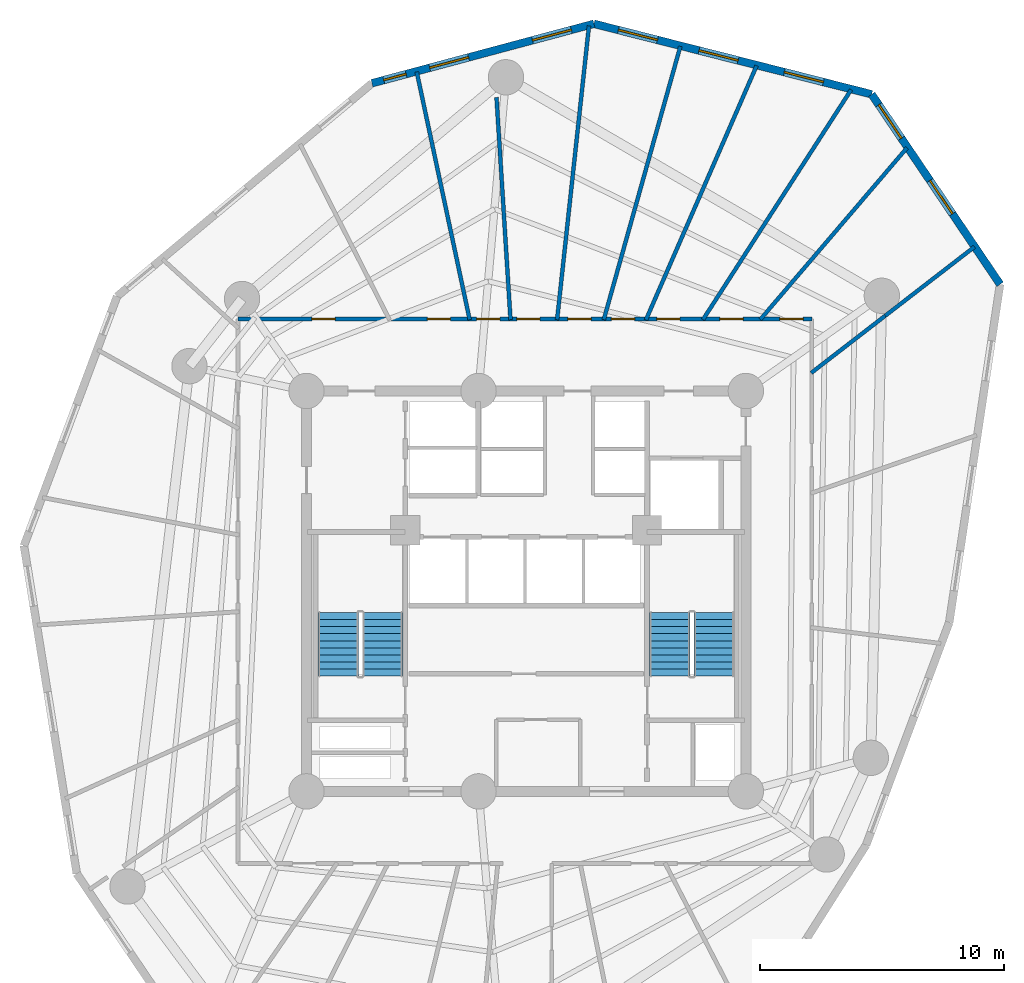
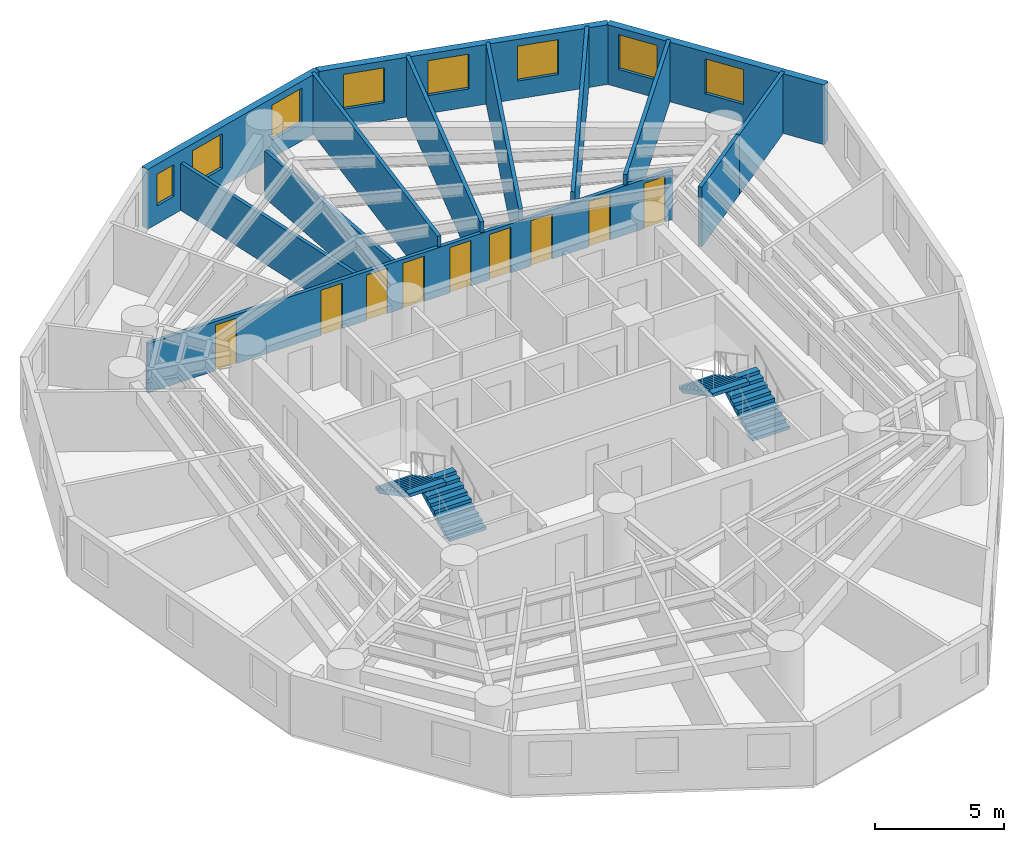
# One storey, part 6 of 7: 13 walls, 9 doors, 8 windows, 4 stair flights, 17 openings, 2 elements without a shape of their own.
"""IFC4 building model written with IfcOpenShell, lengths in metres."""

from ifc_helpers import new_model, si_unit, direction, frame, frame_2d, origin, origin_with_axes, place, context, subcontext, project, spatial, polyline, rectangle, outline, extrude, source, transform, mapped, material, layer, layer_set, type_object, element, fill, aggregate, save


model = new_model("IFC4")

# Units and contexts
model_context = context("Model", 3, precision=1e-05, world=origin(), true_north=direction((0.0, 1.0)))
body_context = subcontext(model_context, "Body", "Model", "MODEL_VIEW")
ifc_project = project(units=[si_unit("LENGTHUNIT", "METRE"), si_unit("AREAUNIT", "SQUARE_METRE"), si_unit("VOLUMEUNIT", "CUBIC_METRE"), si_unit("PLANEANGLEUNIT", "RADIAN"), si_unit("MASSUNIT", "GRAM", prefix="KILO")], contexts=[model_context])

# Site, building, storey
site_placement = place(None, origin())
site = spatial("IfcSite", under=ifc_project, at=site_placement, CompositionType="ELEMENT")
building_placement = place(site_placement, origin())
building = spatial("IfcBuilding", under=site, at=building_placement, Name="Karkom Vertical University and Central Library", CompositionType="ELEMENT")
storey_placement = place(building_placement, frame((0.0, 0.0, 135.85009765625)))
storey = spatial("IfcBuildingStorey", under=building, at=storey_placement, Name="L38", CompositionType="ELEMENT", Elevation=135.85009765625)

# Wall, openings, windows
ifc_material_1 = material(Name="Brick-faced precast concrete C45/55", Category="masonry")
ifc_layer_1 = layer(ifc_material_1, 0.320068359375)
ifc_layer_set_1 = layer_set([ifc_layer_1], Name="Brick-faced precast concrete C45/55")
wall_type_1 = type_object("IfcWallType", Name="ENV-WL-BRK-320", PredefinedType="SOLIDWALL", material=ifc_layer_set_1)
wall_1_placement = place(storey_placement, frame((47.91552734375, 39.07080078125, 0.0), z_axis=(0.0, 0.0, 1.0), x_axis=(-0.559977947863, 0.828507512282, 0.0)))
wall_1 = element("IfcWall", 1, at=wall_1_placement, inside=storey, type_object=wall_type_1, Name="Level 38 Brick-Faced Precast Facade Wall 09", PredefinedType="SOLIDWALL", context=body_context, shape_type="SweptSolid", body=[
    extrude(rectangle(XDim=9.3955078125, YDim=0.320068359375, at=frame_2d((4.69775390625, 0.0))), origin(), (0.0, 0.0, 1.0), 2.824951171875),
])
opening_1_placement = place(wall_1_placement, frame((3.484375, 0.0, 0.85009765625)))
opening_1 = element("IfcOpeningElement", 2, at=opening_1_placement, cuts=wall_1, Name="Opening WN-06", PredefinedType="OPENING", context=body_context, shape_type="SweptSolid", body=[
    extrude(rectangle(XDim=1.64990234375, YDim=1.64990234375, at=frame_2d((0.824951171875, 0.824951171875))), frame((0.0, 0.169921875, 0.0), z_axis=(0.0, -1.0, 0.0), x_axis=(1.0, 0.0, 0.0)), (0.0, 0.0, 1.0), 0.340087890625),
])
opening_2_placement = place(wall_1_placement, frame((7.222900390625, 0.0, 0.85009765625)))
opening_2 = element("IfcOpeningElement", 3, at=opening_2_placement, cuts=wall_1, Name="Opening WN-06", PredefinedType="OPENING", context=body_context, shape_type="SweptSolid", body=[
    extrude(rectangle(XDim=1.64990234375, YDim=1.64990234375, at=frame_2d((0.824951171875, 0.824951171875))), frame((0.0, 0.169921875, 0.0), z_axis=(0.0, -1.0, 0.0), x_axis=(1.0, 0.0, 0.0)), (0.0, 0.0, 1.0), 0.340087890625),
])
ifc_material_2 = material(Name="Aluminium thermal-break frame with solar-control IGU", Category="aluminium")
window_type_1 = type_object("IfcWindowType", Name="ENV-WIN-WN-06", PartitioningType="SINGLE_PANEL", PredefinedType="WINDOW", material=ifc_material_2)
shared_shape_1 = source(origin_with_axes(), body_context, "Body", "SweptSolid", [
    extrude(rectangle(XDim=1.64990234375, YDim=1.64990234375, at=frame_2d((0.824951171875, 0.824951171875))), frame((0.0, 0.030029296875, 0.0), z_axis=(0.0, -1.0, 0.0), x_axis=(1.0, 0.0, 0.0)), (0.0, 0.0, 1.0), 0.06005859375),
])
window_1_placement = place(opening_1_placement, origin())
window_1 = element("IfcWindow", 4, at=window_1_placement, inside=storey, type_object=window_type_1, Name="Level 38 Punched Window 9.1", OverallHeight=1.64990234375, OverallWidth=1.64990234375, PartitioningType="SINGLE_PANEL", PredefinedType="WINDOW", context=body_context, shape_type="MappedRepresentation", body=[
    mapped(shared_shape_1, transform((0.0, 0.0, 0.0), scale=1.0)),
])
fill(opening_1, window_1)
window_2_placement = place(opening_2_placement, origin())
window_2 = element("IfcWindow", 5, at=window_2_placement, inside=storey, type_object=window_type_1, Name="Level 38 Punched Window 9.2", OverallHeight=1.64990234375, OverallWidth=1.64990234375, PartitioningType="SINGLE_PANEL", PredefinedType="WINDOW", context=body_context, shape_type="MappedRepresentation", body=[
    mapped(shared_shape_1, transform((0.0, 0.0, 0.0), scale=1.0)),
])
fill(opening_2, window_2)

wall_2_placement = place(storey_placement, frame((42.654296875, 46.85498046875, 0.0), z_axis=(0.0, 0.0, 1.0), x_axis=(-0.969260142648, 0.246038159386, 0.0)))
wall_2 = element("IfcWall", 6, at=wall_2_placement, inside=storey, type_object=wall_type_1, Name="Level 38 Brick-Faced Precast Facade Wall 10", PredefinedType="SOLIDWALL", context=body_context, shape_type="SweptSolid", body=[
    extrude(rectangle(XDim=11.73779296875, YDim=0.320068359375, at=frame_2d((5.868896484375, 0.0))), origin(), (0.0, 0.0, 1.0), 2.824951171875),
])
opening_3_placement = place(wall_2_placement, frame((2.043212890625, 0.0, 0.85009765625)))
opening_3 = element("IfcOpeningElement", 7, at=opening_3_placement, cuts=wall_2, Name="Opening WN-06", PredefinedType="OPENING", context=body_context, shape_type="SweptSolid", body=[
    extrude(rectangle(XDim=1.64990234375, YDim=1.64990234375, at=frame_2d((0.824951171875, 0.824951171875))), frame((0.0, 0.169921875, 0.0), z_axis=(0.0, -1.0, 0.0), x_axis=(1.0, 0.0, 0.0)), (0.0, 0.0, 1.0), 0.340087890625),
])
opening_4_placement = place(wall_2_placement, frame((5.646484375, 0.0, 0.85009765625)))
opening_4 = element("IfcOpeningElement", 8, at=opening_4_placement, cuts=wall_2, Name="Opening WN-06", PredefinedType="OPENING", context=body_context, shape_type="SweptSolid", body=[
    extrude(rectangle(XDim=1.64990234375, YDim=1.64990234375, at=frame_2d((0.824951171875, 0.824951171875))), frame((0.0, 0.169921875, 0.0), z_axis=(0.0, -1.0, 0.0), x_axis=(1.0, 0.0, 0.0)), (0.0, 0.0, 1.0), 0.340087890625),
])
opening_5_placement = place(wall_2_placement, frame((9.05419921875, 0.0, 0.85009765625)))
opening_5 = element("IfcOpeningElement", 9, at=opening_5_placement, cuts=wall_2, Name="Opening WN-06", PredefinedType="OPENING", context=body_context, shape_type="SweptSolid", body=[
    extrude(rectangle(XDim=1.64990234375, YDim=1.64990234375, at=frame_2d((0.824951171875, 0.824951171875))), frame((0.0, 0.169921875, 0.0), z_axis=(0.0, -1.0, 0.0), x_axis=(1.0, 0.0, 0.0)), (0.0, 0.0, 1.0), 0.340087890625),
])
window_3_placement = place(opening_3_placement, origin())
window_3 = element("IfcWindow", 10, at=window_3_placement, inside=storey, type_object=window_type_1, Name="Level 38 Punched Window 10.1", OverallHeight=1.64990234375, OverallWidth=1.64990234375, PartitioningType="SINGLE_PANEL", PredefinedType="WINDOW", context=body_context, shape_type="MappedRepresentation", body=[
    mapped(shared_shape_1, transform((0.0, 0.0, 0.0), scale=1.0)),
])
fill(opening_3, window_3)
window_4_placement = place(opening_4_placement, origin())
window_4 = element("IfcWindow", 11, at=window_4_placement, inside=storey, type_object=window_type_1, Name="Level 38 Punched Window 10.2", OverallHeight=1.64990234375, OverallWidth=1.64990234375, PartitioningType="SINGLE_PANEL", PredefinedType="WINDOW", context=body_context, shape_type="MappedRepresentation", body=[
    mapped(shared_shape_1, transform((0.0, 0.0, 0.0), scale=1.0)),
])
fill(opening_4, window_4)
window_5_placement = place(opening_5_placement, origin())
window_5 = element("IfcWindow", 12, at=window_5_placement, inside=storey, type_object=window_type_1, Name="Level 38 Punched Window 10.3", OverallHeight=1.64990234375, OverallWidth=1.64990234375, PartitioningType="SINGLE_PANEL", PredefinedType="WINDOW", context=body_context, shape_type="MappedRepresentation", body=[
    mapped(shared_shape_1, transform((0.0, 0.0, 0.0), scale=1.0)),
])
fill(opening_5, window_5)

wall_3_placement = place(storey_placement, frame((31.27734375, 49.742919921875, 0.0), z_axis=(0.0, 0.0, 1.0), x_axis=(-0.965991781353, -0.258572771881, 0.0)))
wall_3 = element("IfcWall", 13, at=wall_3_placement, inside=storey, type_object=wall_type_1, Name="Level 38 Brick-Faced Precast Facade Wall 11", PredefinedType="SOLIDWALL", context=body_context, shape_type="SweptSolid", body=[
    extrude(rectangle(XDim=9.41552734375, YDim=0.320068359375, at=frame_2d((4.707763671875, 0.0))), origin(), (0.0, 0.0, 1.0), 2.824951171875),
])
opening_6_placement = place(wall_3_placement, frame((0.95947265625, 0.0, 0.85009765625)))
opening_6 = element("IfcOpeningElement", 14, at=opening_6_placement, cuts=wall_3, Name="Opening WN-06", PredefinedType="OPENING", context=body_context, shape_type="SweptSolid", body=[
    extrude(rectangle(XDim=1.64990234375, YDim=1.64990234375, at=frame_2d((0.824951171875, 0.824951171875))), frame((0.0, 0.169921875, 0.0), z_axis=(0.0, -1.0, 0.0), x_axis=(1.0, 0.0, 0.0)), (0.0, 0.0, 1.0), 0.340087890625),
])
opening_7_placement = place(wall_3_placement, frame((5.31591796875, 0.0, 0.85009765625)))
opening_7 = element("IfcOpeningElement", 15, at=opening_7_placement, cuts=wall_3, Name="Opening WN-06", PredefinedType="OPENING", context=body_context, shape_type="SweptSolid", body=[
    extrude(rectangle(XDim=1.64990234375, YDim=1.64990234375, at=frame_2d((0.824951171875, 0.824951171875))), frame((0.0, 0.169921875, 0.0), z_axis=(0.0, -1.0, 0.0), x_axis=(1.0, 0.0, 0.0)), (0.0, 0.0, 1.0), 0.340087890625),
])
opening_8_placement = place(wall_3_placement, frame((7.96484375, 0.0, 0.85009765625)))
opening_8 = element("IfcOpeningElement", 16, at=opening_8_placement, cuts=wall_3, Name="Opening WN-12", PredefinedType="OPENING", context=body_context, shape_type="SweptSolid", body=[
    extrude(rectangle(XDim=0.949951171875, YDim=1.5, at=frame_2d((0.47509765625, 0.75))), frame((0.0, 0.169921875, 0.0), z_axis=(0.0, -1.0, 0.0), x_axis=(1.0, 0.0, 0.0)), (0.0, 0.0, 1.0), 0.340087890625),
])
window_6_placement = place(opening_6_placement, origin())
window_6 = element("IfcWindow", 17, at=window_6_placement, inside=storey, type_object=window_type_1, Name="Level 38 Punched Window 11.1", OverallHeight=1.64990234375, OverallWidth=1.64990234375, PartitioningType="SINGLE_PANEL", PredefinedType="WINDOW", context=body_context, shape_type="MappedRepresentation", body=[
    mapped(shared_shape_1, transform((0.0, 0.0, 0.0), scale=1.0)),
])
fill(opening_6, window_6)
window_7_placement = place(opening_7_placement, origin())
window_7 = element("IfcWindow", 18, at=window_7_placement, inside=storey, type_object=window_type_1, Name="Level 38 Punched Window 11.2", OverallHeight=1.64990234375, OverallWidth=1.64990234375, PartitioningType="SINGLE_PANEL", PredefinedType="WINDOW", context=body_context, shape_type="MappedRepresentation", body=[
    mapped(shared_shape_1, transform((0.0, 0.0, 0.0), scale=1.0)),
])
fill(opening_7, window_7)
window_type_2 = type_object("IfcWindowType", Name="ENV-WIN-WN-12", PartitioningType="SINGLE_PANEL", PredefinedType="WINDOW", material=ifc_material_2)
shared_shape_2 = source(origin_with_axes(), body_context, "Body", "SweptSolid", [
    extrude(rectangle(XDim=0.949951171875, YDim=1.5, at=frame_2d((0.47509765625, 0.75))), frame((0.0, 0.030029296875, 0.0), z_axis=(0.0, -1.0, 0.0), x_axis=(1.0, 0.0, 0.0)), (0.0, 0.0, 1.0), 0.06005859375),
])
window_8_placement = place(opening_8_placement, origin())
window_8 = element("IfcWindow", 19, at=window_8_placement, inside=storey, type_object=window_type_2, Name="Level 38 Punched Window 11.3", OverallHeight=1.5, OverallWidth=0.949951171875, PartitioningType="SINGLE_PANEL", PredefinedType="WINDOW", context=body_context, shape_type="MappedRepresentation", body=[
    mapped(shared_shape_2, transform((0.0, 0.0, 0.0), scale=1.0)),
])
fill(opening_8, window_8)

# Wall, openings, doors
ifc_material_3 = material(Name="Insulated metal-stud drywall 160mm", Category="gypsum")
ifc_layer_2 = layer(ifc_material_3, 0.159912109375)
ifc_layer_set_2 = layer_set([ifc_layer_2], Name="Insulated metal-stud drywall 160mm")
wall_type_2 = type_object("IfcWallType", Name="INT-WL-COR-160", PredefinedType="PARTITIONING", material=ifc_layer_set_2)
wall_4_placement = place(storey_placement, frame((16.699951171875, 37.64990234375, 0.0), z_axis=(0.0, 0.0, 1.0), x_axis=(1.0, 0.0, 0.0)))
wall_4 = element("IfcWall", 20, at=wall_4_placement, inside=storey, type_object=wall_type_2, Name="Level 38 Interior Partition Wall L38-CORW-CW-003", PredefinedType="PARTITIONING", context=body_context, shape_type="SweptSolid", body=[
    extrude(rectangle(XDim=23.5, YDim=0.159912109375, at=frame_2d((11.75, 0.0))), origin(), (0.0, 0.0, 1.0), 2.324951171875),
])
opening_9_placement = place(wall_4_placement, frame((22.19287109375, 0.0, 0.0)))
opening_9 = element("IfcOpeningElement", 21, at=opening_9_placement, cuts=wall_4, Name="Opening D-RM1", PredefinedType="OPENING", context=body_context, shape_type="SweptSolid", body=[
    extrude(rectangle(XDim=0.949951171875, YDim=2.14990234375, at=frame_2d((0.47509765625, 1.074951171875))), frame((0.0, 0.08984375, 0.0), z_axis=(0.0, -1.0, 0.0), x_axis=(1.0, 0.0, 0.0)), (0.0, 0.0, 1.0), 0.179931640625),
])
opening_10_placement = place(wall_4_placement, frame((19.739013671875, 0.0, 0.0)))
opening_10 = element("IfcOpeningElement", 22, at=opening_10_placement, cuts=wall_4, Name="Opening D-RM1", PredefinedType="OPENING", context=body_context, shape_type="SweptSolid", body=[
    extrude(rectangle(XDim=0.949951171875, YDim=2.14990234375, at=frame_2d((0.47509765625, 1.074951171875))), frame((0.0, 0.08984375, 0.0), z_axis=(0.0, -1.0, 0.0), x_axis=(1.0, 0.0, 0.0)), (0.0, 0.0, 1.0), 0.179931640625),
])
opening_11_placement = place(wall_4_placement, frame((17.14990234375, 0.0, 0.0)))
opening_11 = element("IfcOpeningElement", 23, at=opening_11_placement, cuts=wall_4, Name="Opening D-RM1", PredefinedType="OPENING", context=body_context, shape_type="SweptSolid", body=[
    extrude(rectangle(XDim=0.949951171875, YDim=2.14990234375, at=frame_2d((0.47509765625, 1.074951171875))), frame((0.0, 0.08984375, 0.0), z_axis=(0.0, -1.0, 0.0), x_axis=(1.0, 0.0, 0.0)), (0.0, 0.0, 1.0), 0.179931640625),
])
opening_12_placement = place(wall_4_placement, frame((15.2900390625, 0.0, 0.0)))
opening_12 = element("IfcOpeningElement", 24, at=opening_12_placement, cuts=wall_4, Name="Opening D-RM1", PredefinedType="OPENING", context=body_context, shape_type="SweptSolid", body=[
    extrude(rectangle(XDim=0.949951171875, YDim=2.14990234375, at=frame_2d((0.47509765625, 1.074951171875))), frame((0.0, 0.08984375, 0.0), z_axis=(0.0, -1.0, 0.0), x_axis=(1.0, 0.0, 0.0)), (0.0, 0.0, 1.0), 0.179931640625),
])
opening_13_placement = place(wall_4_placement, frame((13.507080078125, 0.0, 0.0)))
opening_13 = element("IfcOpeningElement", 25, at=opening_13_placement, cuts=wall_4, Name="Opening D-RM1", PredefinedType="OPENING", context=body_context, shape_type="SweptSolid", body=[
    extrude(rectangle(XDim=0.949951171875, YDim=2.14990234375, at=frame_2d((0.47509765625, 1.074951171875))), frame((0.0, 0.08984375, 0.0), z_axis=(0.0, -1.0, 0.0), x_axis=(1.0, 0.0, 0.0)), (0.0, 0.0, 1.0), 0.179931640625),
])
opening_14_placement = place(wall_4_placement, frame((11.4150390625, 0.0, 0.0)))
opening_14 = element("IfcOpeningElement", 26, at=opening_14_placement, cuts=wall_4, Name="Opening D-RM1", PredefinedType="OPENING", context=body_context, shape_type="SweptSolid", body=[
    extrude(rectangle(XDim=0.949951171875, YDim=2.14990234375, at=frame_2d((0.47509765625, 1.074951171875))), frame((0.0, 0.08984375, 0.0), z_axis=(0.0, -1.0, 0.0), x_axis=(1.0, 0.0, 0.0)), (0.0, 0.0, 1.0), 0.179931640625),
])
opening_15_placement = place(wall_4_placement, frame((9.772216796875, 0.0, 0.0)))
opening_15 = element("IfcOpeningElement", 27, at=opening_15_placement, cuts=wall_4, Name="Opening D-RM1", PredefinedType="OPENING", context=body_context, shape_type="SweptSolid", body=[
    extrude(rectangle(XDim=0.949951171875, YDim=2.14990234375, at=frame_2d((0.47509765625, 1.074951171875))), frame((0.0, 0.08984375, 0.0), z_axis=(0.0, -1.0, 0.0), x_axis=(1.0, 0.0, 0.0)), (0.0, 0.0, 1.0), 0.179931640625),
])
opening_16_placement = place(wall_4_placement, frame((7.75, 0.0, 0.0)))
opening_16 = element("IfcOpeningElement", 28, at=opening_16_placement, cuts=wall_4, Name="Opening D-RM1", PredefinedType="OPENING", context=body_context, shape_type="SweptSolid", body=[
    extrude(rectangle(XDim=0.949951171875, YDim=2.14990234375, at=frame_2d((0.47509765625, 1.074951171875))), frame((0.0, 0.08984375, 0.0), z_axis=(0.0, -1.0, 0.0), x_axis=(1.0, 0.0, 0.0)), (0.0, 0.0, 1.0), 0.179931640625),
])
opening_17_placement = place(wall_4_placement, frame((3.021484375, 0.0, 0.0)))
opening_17 = element("IfcOpeningElement", 29, at=opening_17_placement, cuts=wall_4, Name="Opening D-RM1", PredefinedType="OPENING", context=body_context, shape_type="SweptSolid", body=[
    extrude(rectangle(XDim=0.949951171875, YDim=2.14990234375, at=frame_2d((0.47509765625, 1.074951171875))), frame((0.0, 0.08984375, 0.0), z_axis=(0.0, -1.0, 0.0), x_axis=(1.0, 0.0, 0.0)), (0.0, 0.0, 1.0), 0.179931640625),
])
ifc_material_4 = material(Name="Solid-core oak veneer door", Category="wood")
door_type = type_object("IfcDoorType", Name="INT-DR-RM1", OperationType="NOTDEFINED", PredefinedType="DOOR", material=ifc_material_4)
shared_shape_3 = source(origin_with_axes(), body_context, "Body", "SweptSolid", [
    extrude(rectangle(XDim=0.949951171875, YDim=2.14990234375, at=frame_2d((0.47509765625, 1.074951171875))), frame((0.0, 0.02490234375, 0.0), z_axis=(0.0, -1.0, 0.0), x_axis=(1.0, 0.0, 0.0)), (0.0, 0.0, 1.0), 0.050048828125),
])
door_1_placement = place(opening_9_placement, origin())
door_1 = element("IfcDoor", 30, at=door_1_placement, inside=storey, type_object=door_type, Name="Level 38 Room Entry Door 120", OperationType="SINGLE_SWING_LEFT", OverallHeight=2.14990234375, OverallWidth=0.949951171875, PredefinedType="DOOR", context=body_context, shape_type="MappedRepresentation", body=[
    mapped(shared_shape_3, transform((0.0, 0.0, 0.0), scale=1.0)),
])
fill(opening_9, door_1)
door_2_placement = place(opening_10_placement, origin())
door_2 = element("IfcDoor", 31, at=door_2_placement, inside=storey, type_object=door_type, Name="Level 38 Room Entry Door 130", OperationType="SINGLE_SWING_RIGHT", OverallHeight=2.14990234375, OverallWidth=0.949951171875, PredefinedType="DOOR", context=body_context, shape_type="MappedRepresentation", body=[
    mapped(shared_shape_3, transform((0.0, 0.0, 0.0), scale=1.0)),
])
fill(opening_10, door_2)
door_3_placement = place(opening_11_placement, origin())
door_3 = element("IfcDoor", 32, at=door_3_placement, inside=storey, type_object=door_type, Name="Level 38 Room Entry Door 140", OperationType="SINGLE_SWING_LEFT", OverallHeight=2.14990234375, OverallWidth=0.949951171875, PredefinedType="DOOR", context=body_context, shape_type="MappedRepresentation", body=[
    mapped(shared_shape_3, transform((0.0, 0.0, 0.0), scale=1.0)),
])
fill(opening_11, door_3)
door_4_placement = place(opening_12_placement, origin())
door_4 = element("IfcDoor", 33, at=door_4_placement, inside=storey, type_object=door_type, Name="Level 38 Room Entry Door 150", OperationType="SINGLE_SWING_RIGHT", OverallHeight=2.14990234375, OverallWidth=0.949951171875, PredefinedType="DOOR", context=body_context, shape_type="MappedRepresentation", body=[
    mapped(shared_shape_3, transform((0.0, 0.0, 0.0), scale=1.0)),
])
fill(opening_12, door_4)
door_5_placement = place(opening_13_placement, origin())
door_5 = element("IfcDoor", 34, at=door_5_placement, inside=storey, type_object=door_type, Name="Level 38 Room Entry Door 160", OperationType="SINGLE_SWING_LEFT", OverallHeight=2.14990234375, OverallWidth=0.949951171875, PredefinedType="DOOR", context=body_context, shape_type="MappedRepresentation", body=[
    mapped(shared_shape_3, transform((0.0, 0.0, 0.0), scale=1.0)),
])
fill(opening_13, door_5)
door_6_placement = place(opening_14_placement, origin())
door_6 = element("IfcDoor", 35, at=door_6_placement, inside=storey, type_object=door_type, Name="Level 38 Room Entry Door 170", OperationType="SINGLE_SWING_RIGHT", OverallHeight=2.14990234375, OverallWidth=0.949951171875, PredefinedType="DOOR", context=body_context, shape_type="MappedRepresentation", body=[
    mapped(shared_shape_3, transform((0.0, 0.0, 0.0), scale=1.0)),
])
fill(opening_14, door_6)
door_7_placement = place(opening_15_placement, origin())
door_7 = element("IfcDoor", 36, at=door_7_placement, inside=storey, type_object=door_type, Name="Level 38 Room Entry Door 180", OperationType="SINGLE_SWING_LEFT", OverallHeight=2.14990234375, OverallWidth=0.949951171875, PredefinedType="DOOR", context=body_context, shape_type="MappedRepresentation", body=[
    mapped(shared_shape_3, transform((0.0, 0.0, 0.0), scale=1.0)),
])
fill(opening_15, door_7)
door_8_placement = place(opening_16_placement, origin())
door_8 = element("IfcDoor", 37, at=door_8_placement, inside=storey, type_object=door_type, Name="Level 38 Room Entry Door 190", OperationType="SINGLE_SWING_RIGHT", OverallHeight=2.14990234375, OverallWidth=0.949951171875, PredefinedType="DOOR", context=body_context, shape_type="MappedRepresentation", body=[
    mapped(shared_shape_3, transform((0.0, 0.0, 0.0), scale=1.0)),
])
fill(opening_16, door_8)
door_9_placement = place(opening_17_placement, origin())
door_9 = element("IfcDoor", 38, at=door_9_placement, inside=storey, type_object=door_type, Name="Level 38 Room Entry Door 200", OperationType="SINGLE_SWING_LEFT", OverallHeight=2.14990234375, OverallWidth=0.949951171875, PredefinedType="DOOR", context=body_context, shape_type="MappedRepresentation", body=[
    mapped(shared_shape_3, transform((0.0, 0.0, 0.0), scale=1.0)),
])
fill(opening_17, door_9)

# Walls
wall_5_placement = place(storey_placement, frame((29.767333984375, 37.6201171875, 0.0), z_axis=(0.0, 0.0, 1.0), x_axis=(0.107890663783, 0.994162765682, 0.0)))
element("IfcWall", 39, at=wall_5_placement, inside=storey, type_object=wall_type_2, Name="Level 38 Interior Partition Wall L38-PW-021", PredefinedType="PARTITIONING", context=body_context, shape_type="SweptSolid", body=[
    extrude(rectangle(XDim=12.108642578125, YDim=0.159912109375, at=frame_2d((6.05419921875, 0.0))), origin(), (0.0, 0.0, 1.0), 2.824951171875),
])
wall_6_placement = place(storey_placement, frame((31.678955078125, 37.62109375, 0.0), z_axis=(0.0, 0.0, 1.0), x_axis=(0.269840173921, 0.962905125409, 0.0)))
element("IfcWall", 40, at=wall_6_placement, inside=storey, type_object=wall_type_2, Name="Level 38 Interior Partition Wall L38-PW-020", PredefinedType="PARTITIONING", context=body_context, shape_type="SweptSolid", body=[
    extrude(rectangle(XDim=11.62890625, YDim=0.159912109375, at=frame_2d((5.814453125, 0.0))), origin(), (0.0, 0.0, 1.0), 2.824951171875),
])
wall_7_placement = place(storey_placement, frame((33.40380859375, 37.608642578125, 0.0), z_axis=(0.0, 0.0, 1.0), x_axis=(0.399304349974, 0.916818431366, 0.0)))
element("IfcWall", 41, at=wall_7_placement, inside=storey, type_object=wall_type_2, Name="Level 38 Interior Partition Wall L38-PW-019", PredefinedType="PARTITIONING", context=body_context, shape_type="SweptSolid", body=[
    extrude(rectangle(XDim=11.361328125, YDim=0.159912109375, at=frame_2d((5.6806640625, 0.0))), origin(), (0.0, 0.0, 1.0), 2.824951171875),
])
wall_8_placement = place(storey_placement, frame((35.742431640625, 37.624755859375, 0.0), z_axis=(0.0, 0.0, 1.0), x_axis=(0.541798178904, 0.840508615861, 0.0)))
element("IfcWall", 42, at=wall_8_placement, inside=storey, type_object=wall_type_2, Name="Level 38 Interior Partition Wall L38-PW-018", PredefinedType="PARTITIONING", context=body_context, shape_type="SweptSolid", body=[
    extrude(rectangle(XDim=11.201416015625, YDim=0.159912109375, at=frame_2d((5.6005859375, 0.0))), origin(), (0.0, 0.0, 1.0), 2.824951171875),
])
wall_9_placement = place(storey_placement, frame((26.18603515625, 37.62060546875, 0.0), z_axis=(0.0, 0.0, 1.0), x_axis=(-0.208893078631, 0.977938485642, 0.0)))
element("IfcWall", 43, at=wall_9_placement, inside=storey, type_object=wall_type_2, Name="Level 38 Interior Partition Wall L38-PW-023", PredefinedType="PARTITIONING", context=body_context, shape_type="SweptSolid", body=[
    extrude(rectangle(XDim=10.3818359375, YDim=0.159912109375, at=frame_2d((5.19091796875, 0.0))), origin(), (0.0, 0.0, 1.0), 2.224853515625),
])
wall_10_placement = place(storey_placement, frame((38.087890625, 37.627197265625, 0.0), z_axis=(0.0, 0.0, 1.0), x_axis=(0.649663413135, 0.760221973922, 0.0)))
element("IfcWall", 44, at=wall_10_placement, inside=storey, type_object=wall_type_2, Name="Level 38 Interior Partition Wall L38-PW-017", PredefinedType="PARTITIONING", context=body_context, shape_type="SweptSolid", body=[
    extrude(rectangle(XDim=9.257080078125, YDim=0.159912109375, at=frame_2d((4.62841796875, 0.0))), origin(), (0.0, 0.0, 1.0), 2.824951171875),
])
wall_11_placement = place(storey_placement, frame((27.859130859375, 37.6201171875, 0.0), z_axis=(0.0, 0.0, 1.0), x_axis=(-0.062901079657, 0.998019766426, 0.0)))
element("IfcWall", 45, at=wall_11_placement, inside=storey, type_object=wall_type_2, Name="Level 38 Interior Partition Wall L38-PW-022", PredefinedType="PARTITIONING", context=body_context, shape_type="SweptSolid", body=[
    extrude(rectangle(XDim=9.12890625, YDim=0.159912109375, at=frame_2d((4.564453125, 0.0))), origin(), (0.0, 0.0, 1.0), 2.224853515625),
])
wall_12_placement = place(storey_placement, frame((40.17626953125, 35.44140625, 0.0), z_axis=(0.0, 0.0, 1.0), x_axis=(0.791467391046, 0.611211394617, 0.0)))
element("IfcWall", 46, at=wall_12_placement, inside=storey, type_object=wall_type_2, Name="Level 38 Interior Partition Wall L38-PW-015", PredefinedType="PARTITIONING", context=body_context, shape_type="SweptSolid", body=[
    extrude(rectangle(XDim=3.826171875, YDim=0.159912109375, at=frame_2d((1.9130859375, 0.0))), origin(), (0.0, 0.0, 1.0), 2.824951171875),
])
wall_13_placement = place(storey_placement, frame((43.20849609375, 37.783203125, 0.0), z_axis=(0.0, 0.0, 1.0), x_axis=(0.791484900465, 0.611188720721, 0.0)))
element("IfcWall", 47, at=wall_13_placement, inside=storey, type_object=wall_type_2, Name="Level 38 Interior Partition Wall L38-PW-016", PredefinedType="PARTITIONING", context=body_context, shape_type="SweptSolid", body=[
    extrude(rectangle(XDim=4.618896484375, YDim=0.159912109375, at=frame_2d((2.3095703125, 0.0))), origin(), (0.0, 0.0, 1.0), 2.824951171875),
])

# Stair, stair flights
ifc_material_5 = material(Name="Concrete C45/55", Category="concrete")
stair_type = type_object("IfcStairType", Name="INT-STR-ST-MAIN", PredefinedType="HALF_TURN_STAIR", material=ifc_material_5)
stair_1_placement = place(storey_placement, origin())
stair_1 = element("IfcStair", 48, at=stair_1_placement, inside=storey, type_object=stair_type, Name="Level 38 Tower Protected Exit Stair ST-1", PredefinedType="HALF_TURN_STAIR")
stair_flight_type = type_object("IfcStairFlightType", Name="INT-SFL-ST-MAIN", PredefinedType="STRAIGHT", material=ifc_material_5)
stair_flight_1_placement = place(storey_placement, frame((22.614990234375, 23.02001953125, 0.0), z_axis=(0.0, 0.0, 1.0), x_axis=(0.0, 1.0, 0.0)))
stair_flight_1 = element("IfcStairFlight", 49, at=stair_flight_1_placement, type_object=stair_flight_type, Name="ST-1 flight 1", NumberOfRisers=10, NumberOfTreads=9, PredefinedType="STRAIGHT", RiserHeight=0.1525, TreadLength=0.29, context=body_context, shape_type="SweptSolid", body=[
    extrude(outline(polyline([(0.0, 0.0), (0.0, 0.152587890625), (0.2900390625, 0.152587890625), (0.2900390625, 0.304931640625), (0.580078125, 0.304931640625), (0.580078125, 0.45751953125), (0.8701171875, 0.45751953125), (0.8701171875, 0.610107421875), (1.159912109375, 0.610107421875), (1.159912109375, 0.762451171875), (1.449951171875, 0.762451171875), (1.449951171875, 0.9150390625), (1.739990234375, 0.9150390625), (1.739990234375, 1.0673828125), (2.030029296875, 1.0673828125), (2.030029296875, 1.219970703125), (2.320068359375, 1.219970703125), (2.320068359375, 1.37255859375), (2.610107421875, 1.37255859375), (2.610107421875, 1.52490234375), (2.610107421875, 1.203125), (0.322021484375, 0.0), (0.0, 0.0)])), frame((0.0, 0.824951171875, 0.0), z_axis=(0.0, -1.0, 0.0), x_axis=(1.0, 0.0, 0.0)), (0.0, 0.0, 1.0), 1.64990234375),
])
stair_flight_2_placement = place(storey_placement, frame((20.804931640625, 25.6298828125, 1.52490234375), z_axis=(0.0, 0.0, 1.0), x_axis=(0.0, -1.0, 0.0)))
stair_flight_2 = element("IfcStairFlight", 50, at=stair_flight_2_placement, type_object=stair_flight_type, Name="ST-1 flight 2", NumberOfRisers=10, NumberOfTreads=9, PredefinedType="STRAIGHT", RiserHeight=0.1525, TreadLength=0.29, context=body_context, shape_type="SweptSolid", body=[
    extrude(outline(polyline([(0.0, 0.0), (0.0, 0.152587890625), (0.2900390625, 0.152587890625), (0.2900390625, 0.304931640625), (0.580078125, 0.304931640625), (0.580078125, 0.45751953125), (0.8701171875, 0.45751953125), (0.8701171875, 0.610107421875), (1.159912109375, 0.610107421875), (1.159912109375, 0.762451171875), (1.449951171875, 0.762451171875), (1.449951171875, 0.9150390625), (1.739990234375, 0.9150390625), (1.739990234375, 1.0673828125), (2.030029296875, 1.0673828125), (2.030029296875, 1.219970703125), (2.320068359375, 1.219970703125), (2.320068359375, 1.37255859375), (2.610107421875, 1.37255859375), (2.610107421875, 1.52490234375), (2.610107421875, 1.203125), (0.322021484375, 0.0), (0.0, 0.0)])), frame((0.0, 0.824951171875, 0.0), z_axis=(0.0, -1.0, 0.0), x_axis=(1.0, 0.0, 0.0)), (0.0, 0.0, 1.0), 1.64990234375),
])
aggregate(stair_1, [stair_flight_1, stair_flight_2])

stair_2_placement = place(storey_placement, origin())
stair_2 = element("IfcStair", 51, at=stair_2_placement, inside=storey, type_object=stair_type, Name="Level 38 Tower Protected Exit Stair ST-2", PredefinedType="HALF_TURN_STAIR")
stair_flight_3_placement = place(storey_placement, frame((36.195068359375, 23.02001953125, 0.0), z_axis=(0.0, 0.0, 1.0), x_axis=(0.0, 1.0, 0.0)))
stair_flight_3 = element("IfcStairFlight", 52, at=stair_flight_3_placement, type_object=stair_flight_type, Name="ST-2 flight 1", NumberOfRisers=10, NumberOfTreads=9, PredefinedType="STRAIGHT", RiserHeight=0.1525, TreadLength=0.29, context=body_context, shape_type="SweptSolid", body=[
    extrude(outline(polyline([(0.0, 0.0), (0.0, 0.152587890625), (0.2900390625, 0.152587890625), (0.2900390625, 0.304931640625), (0.580078125, 0.304931640625), (0.580078125, 0.45751953125), (0.8701171875, 0.45751953125), (0.8701171875, 0.610107421875), (1.159912109375, 0.610107421875), (1.159912109375, 0.762451171875), (1.449951171875, 0.762451171875), (1.449951171875, 0.9150390625), (1.739990234375, 0.9150390625), (1.739990234375, 1.0673828125), (2.030029296875, 1.0673828125), (2.030029296875, 1.219970703125), (2.320068359375, 1.219970703125), (2.320068359375, 1.37255859375), (2.610107421875, 1.37255859375), (2.610107421875, 1.52490234375), (2.610107421875, 1.203125), (0.322021484375, 0.0), (0.0, 0.0)])), frame((0.0, 0.824951171875, 0.0), z_axis=(0.0, -1.0, 0.0), x_axis=(1.0, 0.0, 0.0)), (0.0, 0.0, 1.0), 1.64990234375),
])
stair_flight_4_placement = place(storey_placement, frame((34.385009765625, 25.6298828125, 1.52490234375), z_axis=(0.0, 0.0, 1.0), x_axis=(0.0, -1.0, 0.0)))
stair_flight_4 = element("IfcStairFlight", 53, at=stair_flight_4_placement, type_object=stair_flight_type, Name="ST-2 flight 2", NumberOfRisers=10, NumberOfTreads=9, PredefinedType="STRAIGHT", RiserHeight=0.1525, TreadLength=0.29, context=body_context, shape_type="SweptSolid", body=[
    extrude(outline(polyline([(0.0, 0.0), (0.0, 0.152587890625), (0.2900390625, 0.152587890625), (0.2900390625, 0.304931640625), (0.580078125, 0.304931640625), (0.580078125, 0.45751953125), (0.8701171875, 0.45751953125), (0.8701171875, 0.610107421875), (1.159912109375, 0.610107421875), (1.159912109375, 0.762451171875), (1.449951171875, 0.762451171875), (1.449951171875, 0.9150390625), (1.739990234375, 0.9150390625), (1.739990234375, 1.0673828125), (2.030029296875, 1.0673828125), (2.030029296875, 1.219970703125), (2.320068359375, 1.219970703125), (2.320068359375, 1.37255859375), (2.610107421875, 1.37255859375), (2.610107421875, 1.52490234375), (2.610107421875, 1.203125), (0.322021484375, 0.0), (0.0, 0.0)])), frame((0.0, 0.824951171875, 0.0), z_axis=(0.0, -1.0, 0.0), x_axis=(1.0, 0.0, 0.0)), (0.0, 0.0, 1.0), 1.64990234375),
])
aggregate(stair_2, [stair_flight_3, stair_flight_4])

save(model, "model.ifc")
